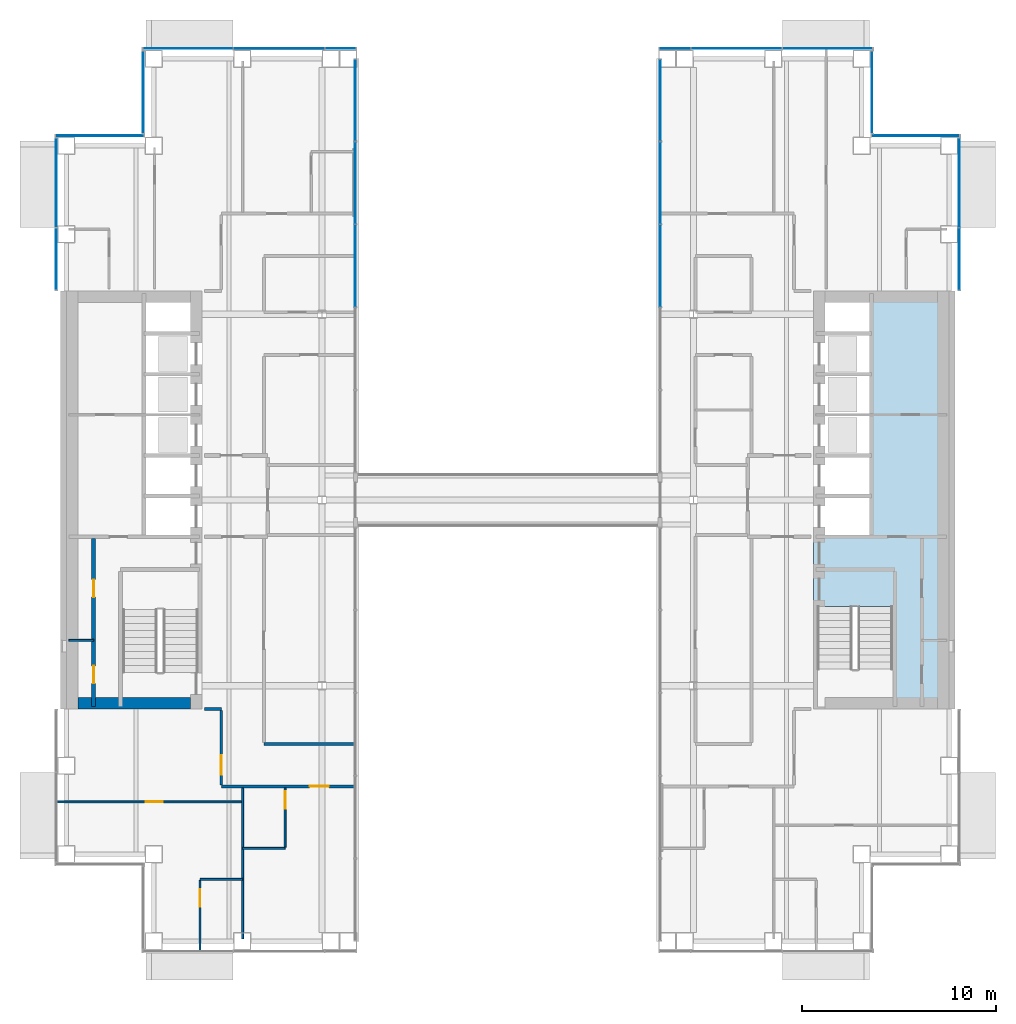
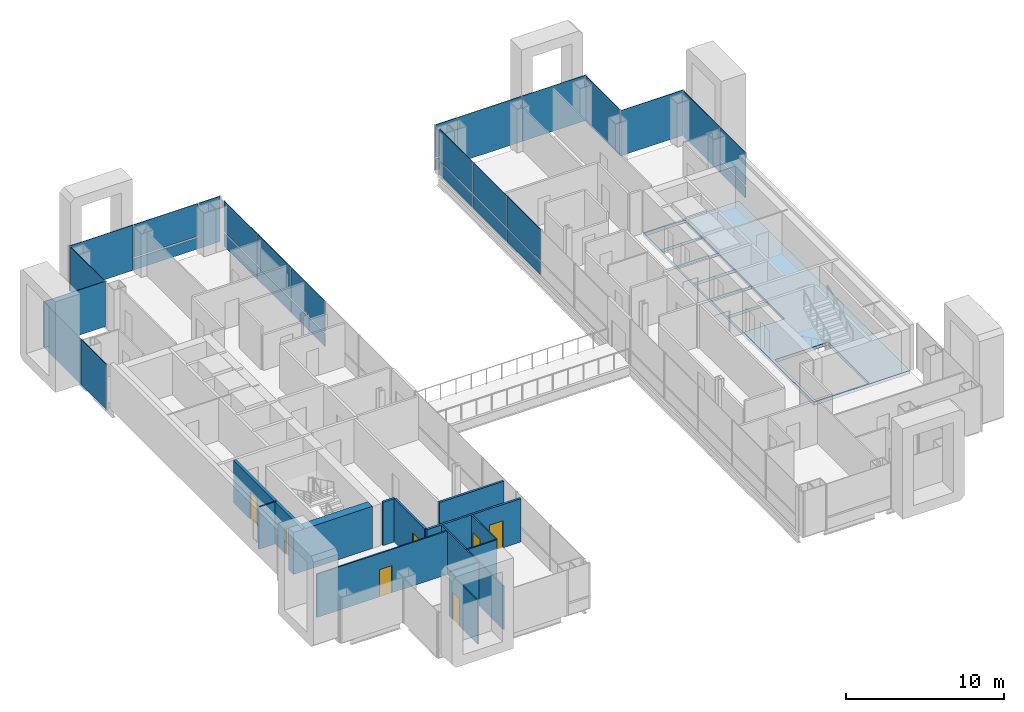
# One storey, part 9 of 17: 29 plates, 13 walls, 7 doors, 1 slab, 7 openings, 10 elements without a shape of their own.
"""IFC4 building model written with IfcOpenShell, lengths in metres."""

from ifc_helpers import new_model, si_unit, direction, frame, frame_2d, origin, origin_2d, place, context, subcontext, project, spatial, polyline, rectangle, outline, extrude, material, layer, layer_set, type_object, element, fill, aggregate, save


model = new_model("IFC4")

# Units and contexts
model_context = context("Model", 3, precision=1e-05, world=origin(), true_north=direction((0.0, 1.0)))
body_context = subcontext(model_context, "Body", "Model", "MODEL_VIEW")
ifc_project = project(units=[si_unit("LENGTHUNIT", "METRE"), si_unit("AREAUNIT", "SQUARE_METRE"), si_unit("VOLUMEUNIT", "CUBIC_METRE"), si_unit("PLANEANGLEUNIT", "RADIAN"), si_unit("MASSUNIT", "GRAM", prefix="KILO")], contexts=[model_context])

# Site, building, storey
site_placement = place(None, origin())
site = spatial("IfcSite", under=ifc_project, at=site_placement, CompositionType="ELEMENT")
building_placement = place(site_placement, origin())
building = spatial("IfcBuilding", under=site, at=building_placement, Name="Cobrizo Arcos Hotel Tower", CompositionType="ELEMENT")
storey_placement = place(building_placement, frame((0.0, 0.0, 131.0)))
storey = spatial("IfcBuildingStorey", under=building, at=storey_placement, Name="L33", CompositionType="ELEMENT", Elevation=131.0)

# Curtain wall, plate
ifc_material_1 = material(Name="Aluminium 6063-T6 anodised bronze", Category="aluminium")
curtain_wall_type_1 = type_object("IfcCurtainWallType", Name="CW-A guest facade", PredefinedType="NOTDEFINED", material=ifc_material_1)
curtain_wall_1_placement = place(storey_placement, origin())
curtain_wall_1 = element("IfcCurtainWall", 1, at=curtain_wall_1_placement, inside=storey, type_object=curtain_wall_type_1, Name="CW-A L33 E face", PredefinedType="NOTDEFINED")
ifc_material_2 = material(Name="Glass clear laminated low-e", Category="glass")
ifc_layer_1 = layer(ifc_material_2, 0.0400390625)
ifc_layer_set_1 = layer_set([ifc_layer_1], Name="CW-A glass panel")
plate_type_1 = type_object("IfcPlateType", Name="CW-A glass panel", PredefinedType="CURTAIN_PANEL", material=ifc_layer_set_1)
plate_1_placement = place(storey_placement, frame((23.324951171875, 12.4462890625, 0.990234375), z_axis=(0.0, 0.0, 1.0), x_axis=(0.0, 1.0, 0.0)))
plate_1 = element("IfcPlate", 2, at=plate_1_placement, type_object=plate_type_1, Name="CW-A glass panel 1229", PredefinedType="CURTAIN_PANEL", context=body_context, shape_type="SweptSolid", body=[
    extrude(rectangle(XDim=3.172607421875, YDim=0.0400390625, at=origin_2d()), origin(), (0.0, 0.0, 1.0), 2.510009765625),
])

curtain_wall_2_placement = place(storey_placement, origin())
curtain_wall_2 = element("IfcCurtainWall", 3, at=curtain_wall_2_placement, inside=storey, type_object=curtain_wall_type_1, Name="CW-A L33 N face", PredefinedType="NOTDEFINED")
plate_2_placement = place(storey_placement, frame((8.639892578125, 23.324951171875, 0.990234375), z_axis=(0.0, 0.0, 1.0), x_axis=(-1.0, 0.0, 0.0)))
plate_2 = element("IfcPlate", 4, at=plate_2_placement, type_object=plate_type_1, Name="CW-A glass panel 1235", PredefinedType="CURTAIN_PANEL", context=body_context, shape_type="SweptSolid", body=[
    extrude(rectangle(XDim=1.56005859375, YDim=0.0400390625, at=origin_2d()), origin(), (0.0, 0.0, 1.0), 2.510009765625),
])

curtain_wall_3_placement = place(storey_placement, origin())
curtain_wall_3 = element("IfcCurtainWall", 5, at=curtain_wall_3_placement, inside=storey, type_object=curtain_wall_type_1, Name="CW-A L33 N face", PredefinedType="NOTDEFINED")
plate_3_placement = place(storey_placement, frame((-11.8125, 23.324951171875, 0.990234375), z_axis=(0.0, 0.0, 1.0), x_axis=(-1.0, 0.0, 0.0)))
plate_3 = element("IfcPlate", 6, at=plate_3_placement, type_object=plate_type_1, Name="CW-A glass panel 1237", PredefinedType="CURTAIN_PANEL", context=body_context, shape_type="SweptSolid", body=[
    extrude(rectangle(XDim=4.6650390625, YDim=0.0400390625, at=origin_2d()), origin(), (0.0, 0.0, 1.0), 2.510009765625),
])

# Plate
ifc_material_3 = material(Name="Aluminium composite panel pale metal", Category="aluminium")
ifc_layer_2 = layer(ifc_material_3, 0.0400390625)
ifc_layer_set_2 = layer_set([ifc_layer_2], Name="CW-A spandrel panel")
plate_type_2 = type_object("IfcPlateType", Name="CW-A spandrel panel", PredefinedType="CURTAIN_PANEL", material=ifc_layer_set_2)
plate_4_placement = place(storey_placement, frame((23.324951171875, 12.4462890625, 0.0), z_axis=(0.0, 0.0, 1.0), x_axis=(0.0, 1.0, 0.0)))
plate_4 = element("IfcPlate", 7, at=plate_4_placement, type_object=plate_type_2, Name="CW-A spandrel panel 1229", PredefinedType="CURTAIN_PANEL", context=body_context, shape_type="SweptSolid", body=[
    extrude(rectangle(XDim=3.172607421875, YDim=0.0400390625, at=origin_2d()), origin(), (0.0, 0.0, 1.0), 0.8701171875),
])

plate_5_placement = place(storey_placement, frame((23.324951171875, 16.391357421875, 0.0), z_axis=(0.0, 0.0, 1.0), x_axis=(0.0, 1.0, 0.0)))
plate_5 = element("IfcPlate", 8, at=plate_5_placement, type_object=plate_type_2, Name="CW-A spandrel panel 1230", PredefinedType="CURTAIN_PANEL", context=body_context, shape_type="SweptSolid", body=[
    extrude(rectangle(XDim=4.597412109375, YDim=0.0400390625, at=origin_2d()), origin(), (0.0, 0.0, 1.0), 3.5),
])

aggregate(curtain_wall_1, [plate_4, plate_1, plate_5])

# Curtain wall, plate
curtain_wall_4_placement = place(storey_placement, origin())
curtain_wall_4 = element("IfcCurtainWall", 9, at=curtain_wall_4_placement, inside=storey, type_object=curtain_wall_type_1, Name="CW-A L33 N face", PredefinedType="NOTDEFINED")
plate_6_placement = place(storey_placement, frame((21.074951171875, 18.824951171875, 0.0), z_axis=(0.0, 0.0, 1.0), x_axis=(-1.0, 0.0, 0.0)))
plate_6 = element("IfcPlate", 10, at=plate_6_placement, type_object=plate_type_2, Name="CW-A spandrel panel 1231", PredefinedType="CURTAIN_PANEL", context=body_context, shape_type="SweptSolid", body=[
    extrude(rectangle(XDim=4.530029296875, YDim=0.0400390625, at=origin_2d()), origin(), (0.0, 0.0, 1.0), 3.5),
])
aggregate(curtain_wall_4, [plate_6])

curtain_wall_5_placement = place(storey_placement, origin())
curtain_wall_5 = element("IfcCurtainWall", 11, at=curtain_wall_5_placement, inside=storey, type_object=curtain_wall_type_1, Name="CW-A L33 E face", PredefinedType="NOTDEFINED")
plate_7_placement = place(storey_placement, frame((18.824951171875, 21.074951171875, 0.0), z_axis=(0.0, 0.0, 1.0), x_axis=(0.0, 1.0, 0.0)))
plate_7 = element("IfcPlate", 12, at=plate_7_placement, type_object=plate_type_2, Name="CW-A spandrel panel 1232", PredefinedType="CURTAIN_PANEL", context=body_context, shape_type="SweptSolid", body=[
    extrude(rectangle(XDim=4.22998046875, YDim=0.0400390625, at=origin_2d()), origin(), (0.0, 0.0, 1.0), 3.5),
])
aggregate(curtain_wall_5, [plate_7])

# Plate
plate_8_placement = place(storey_placement, frame((16.5224609375, 23.324951171875, 0.0), z_axis=(0.0, 0.0, 1.0), x_axis=(-1.0, 0.0, 0.0)))
plate_8 = element("IfcPlate", 13, at=plate_8_placement, type_object=plate_type_2, Name="CW-A spandrel panel 1233", PredefinedType="CURTAIN_PANEL", context=body_context, shape_type="SweptSolid", body=[
    extrude(rectangle(XDim=4.635009765625, YDim=0.0400390625, at=origin_2d()), origin(), (0.0, 0.0, 1.0), 3.5),
])

plate_9_placement = place(storey_placement, frame((11.8125, 23.324951171875, 0.0), z_axis=(0.0, 0.0, 1.0), x_axis=(-1.0, 0.0, 0.0)))
plate_9 = element("IfcPlate", 14, at=plate_9_placement, type_object=plate_type_2, Name="CW-A spandrel panel 1234", PredefinedType="CURTAIN_PANEL", context=body_context, shape_type="SweptSolid", body=[
    extrude(rectangle(XDim=4.6650390625, YDim=0.0400390625, at=origin_2d()), origin(), (0.0, 0.0, 1.0), 3.5),
])

plate_10_placement = place(storey_placement, frame((8.639892578125, 23.324951171875, 0.0), z_axis=(0.0, 0.0, 1.0), x_axis=(-1.0, 0.0, 0.0)))
plate_10 = element("IfcPlate", 15, at=plate_10_placement, type_object=plate_type_2, Name="CW-A spandrel panel 1235", PredefinedType="CURTAIN_PANEL", context=body_context, shape_type="SweptSolid", body=[
    extrude(rectangle(XDim=1.56005859375, YDim=0.0400390625, at=origin_2d()), origin(), (0.0, 0.0, 1.0), 0.8701171875),
])

aggregate(curtain_wall_2, [plate_8, plate_9, plate_10, plate_2])

plate_11_placement = place(storey_placement, frame((-8.639892578125, 23.324951171875, 0.0), z_axis=(0.0, 0.0, 1.0), x_axis=(-1.0, 0.0, 0.0)))
plate_11 = element("IfcPlate", 16, at=plate_11_placement, type_object=plate_type_2, Name="CW-A spandrel panel 1236", PredefinedType="CURTAIN_PANEL", context=body_context, shape_type="SweptSolid", body=[
    extrude(rectangle(XDim=1.56005859375, YDim=0.0400390625, at=origin_2d()), origin(), (0.0, 0.0, 1.0), 3.5),
])

plate_12_placement = place(storey_placement, frame((-11.8125, 23.324951171875, 0.0), z_axis=(0.0, 0.0, 1.0), x_axis=(-1.0, 0.0, 0.0)))
plate_12 = element("IfcPlate", 17, at=plate_12_placement, type_object=plate_type_2, Name="CW-A spandrel panel 1237", PredefinedType="CURTAIN_PANEL", context=body_context, shape_type="SweptSolid", body=[
    extrude(rectangle(XDim=4.6650390625, YDim=0.0400390625, at=origin_2d()), origin(), (0.0, 0.0, 1.0), 0.8701171875),
])

plate_13_placement = place(storey_placement, frame((-16.5224609375, 23.324951171875, 0.0), z_axis=(0.0, 0.0, 1.0), x_axis=(-1.0, 0.0, 0.0)))
plate_13 = element("IfcPlate", 18, at=plate_13_placement, type_object=plate_type_2, Name="CW-A spandrel panel 1238", PredefinedType="CURTAIN_PANEL", context=body_context, shape_type="SweptSolid", body=[
    extrude(rectangle(XDim=4.635009765625, YDim=0.0400390625, at=origin_2d()), origin(), (0.0, 0.0, 1.0), 3.5),
])

aggregate(curtain_wall_3, [plate_11, plate_12, plate_3, plate_13])

# Curtain wall, plate
curtain_wall_6_placement = place(storey_placement, origin())
curtain_wall_6 = element("IfcCurtainWall", 19, at=curtain_wall_6_placement, inside=storey, type_object=curtain_wall_type_1, Name="CW-A L33 W face", PredefinedType="NOTDEFINED")
plate_14_placement = place(storey_placement, frame((-18.824951171875, 21.074951171875, 0.0), z_axis=(0.0, 0.0, 1.0), x_axis=(0.0, -1.0, 0.0)))
plate_14 = element("IfcPlate", 20, at=plate_14_placement, type_object=plate_type_2, Name="CW-A spandrel panel 1239", PredefinedType="CURTAIN_PANEL", context=body_context, shape_type="SweptSolid", body=[
    extrude(rectangle(XDim=4.22998046875, YDim=0.0400390625, at=origin_2d()), origin(), (0.0, 0.0, 1.0), 3.5),
])
aggregate(curtain_wall_6, [plate_14])

curtain_wall_7_placement = place(storey_placement, origin())
curtain_wall_7 = element("IfcCurtainWall", 21, at=curtain_wall_7_placement, inside=storey, type_object=curtain_wall_type_1, Name="CW-A L33 N face", PredefinedType="NOTDEFINED")
plate_15_placement = place(storey_placement, frame((-21.074951171875, 18.824951171875, 0.0), z_axis=(0.0, 0.0, 1.0), x_axis=(-1.0, 0.0, 0.0)))
plate_15 = element("IfcPlate", 22, at=plate_15_placement, type_object=plate_type_2, Name="CW-A spandrel panel 1240", PredefinedType="CURTAIN_PANEL", context=body_context, shape_type="SweptSolid", body=[
    extrude(rectangle(XDim=4.530029296875, YDim=0.0400390625, at=origin_2d()), origin(), (0.0, 0.0, 1.0), 3.5),
])
aggregate(curtain_wall_7, [plate_15])

# Curtain wall, plates
curtain_wall_8_placement = place(storey_placement, origin())
curtain_wall_8 = element("IfcCurtainWall", 23, at=curtain_wall_8_placement, inside=storey, type_object=curtain_wall_type_1, Name="CW-A L33 W face", PredefinedType="NOTDEFINED")
plate_16_placement = place(storey_placement, frame((-23.324951171875, 16.391357421875, 0.0), z_axis=(0.0, 0.0, 1.0), x_axis=(0.0, -1.0, 0.0)))
plate_16 = element("IfcPlate", 24, at=plate_16_placement, type_object=plate_type_2, Name="CW-A spandrel panel 1241", PredefinedType="CURTAIN_PANEL", context=body_context, shape_type="SweptSolid", body=[
    extrude(rectangle(XDim=4.597412109375, YDim=0.0400390625, at=origin_2d()), origin(), (0.0, 0.0, 1.0), 3.5),
])
plate_17_placement = place(storey_placement, frame((-23.324951171875, 12.4462890625, 0.0), z_axis=(0.0, 0.0, 1.0), x_axis=(0.0, -1.0, 0.0)))
plate_17 = element("IfcPlate", 25, at=plate_17_placement, type_object=plate_type_2, Name="CW-A spandrel panel 1242", PredefinedType="CURTAIN_PANEL", context=body_context, shape_type="SweptSolid", body=[
    extrude(rectangle(XDim=3.172607421875, YDim=0.0400390625, at=origin_2d()), origin(), (0.0, 0.0, 1.0), 3.5),
])
aggregate(curtain_wall_8, [plate_16, plate_17])

curtain_wall_type_2 = type_object("IfcCurtainWallType", Name="CW-F void screen", PredefinedType="NOTDEFINED", material=ifc_material_1)
curtain_wall_9_placement = place(storey_placement, origin())
curtain_wall_9 = element("IfcCurtainWall", 26, at=curtain_wall_9_placement, inside=storey, type_object=curtain_wall_type_2, Name="CW-F L33 void screen B", PredefinedType="NOTDEFINED")
ifc_layer_3 = layer(ifc_material_2, 0.0400390625)
ifc_layer_set_3 = layer_set([ifc_layer_3], Name="CW-F glass panel")
plate_type_3 = type_object("IfcPlateType", Name="CW-F glass panel", PredefinedType="CURTAIN_PANEL", material=ifc_layer_set_3)
plate_18_placement = place(storey_placement, frame((7.875, 12.10009765625, 0.0), z_axis=(0.0, 0.0, 1.0), x_axis=(0.0, 1.0, 0.0)))
plate_18 = element("IfcPlate", 27, at=plate_18_placement, type_object=plate_type_3, Name="CW-F glass panel 2653", PredefinedType="CURTAIN_PANEL", context=body_context, shape_type="SweptSolid", body=[
    extrude(rectangle(XDim=4.219970703125, YDim=0.0400390625, at=origin_2d()), origin(), (0.0, 0.0, 1.0), 0.989990234375),
])
plate_19_placement = place(storey_placement, frame((7.875, 12.10009765625, 1.10986328125), z_axis=(0.0, 0.0, 1.0), x_axis=(0.0, 1.0, 0.0)))
plate_19 = element("IfcPlate", 28, at=plate_19_placement, type_object=plate_type_3, Name="CW-F glass panel 2653", PredefinedType="CURTAIN_PANEL", context=body_context, shape_type="SweptSolid", body=[
    extrude(rectangle(XDim=4.219970703125, YDim=0.0400390625, at=origin_2d()), origin(), (0.0, 0.0, 1.0), 2.389892578125),
])
plate_20_placement = place(storey_placement, frame((7.875, 16.3798828125, 0.0), z_axis=(0.0, 0.0, 1.0), x_axis=(0.0, 1.0, 0.0)))
plate_20 = element("IfcPlate", 29, at=plate_20_placement, type_object=plate_type_3, Name="CW-F glass panel 2654", PredefinedType="CURTAIN_PANEL", context=body_context, shape_type="SweptSolid", body=[
    extrude(rectangle(XDim=4.219970703125, YDim=0.0400390625, at=origin_2d()), origin(), (0.0, 0.0, 1.0), 0.989990234375),
])
plate_21_placement = place(storey_placement, frame((7.875, 16.3798828125, 1.10986328125), z_axis=(0.0, 0.0, 1.0), x_axis=(0.0, 1.0, 0.0)))
plate_21 = element("IfcPlate", 30, at=plate_21_placement, type_object=plate_type_3, Name="CW-F glass panel 2654", PredefinedType="CURTAIN_PANEL", context=body_context, shape_type="SweptSolid", body=[
    extrude(rectangle(XDim=4.219970703125, YDim=0.0400390625, at=origin_2d()), origin(), (0.0, 0.0, 1.0), 2.389892578125),
])
plate_22_placement = place(storey_placement, frame((7.875, 20.64501953125, 0.0), z_axis=(0.0, 0.0, 1.0), x_axis=(0.0, 1.0, 0.0)))
plate_22 = element("IfcPlate", 31, at=plate_22_placement, type_object=plate_type_3, Name="CW-F glass panel 2655", PredefinedType="CURTAIN_PANEL", context=body_context, shape_type="SweptSolid", body=[
    extrude(rectangle(XDim=4.18994140625, YDim=0.0400390625, at=origin_2d()), origin(), (0.0, 0.0, 1.0), 0.989990234375),
])
plate_23_placement = place(storey_placement, frame((7.875, 20.64501953125, 1.10986328125), z_axis=(0.0, 0.0, 1.0), x_axis=(0.0, 1.0, 0.0)))
plate_23 = element("IfcPlate", 32, at=plate_23_placement, type_object=plate_type_3, Name="CW-F glass panel 2655", PredefinedType="CURTAIN_PANEL", context=body_context, shape_type="SweptSolid", body=[
    extrude(rectangle(XDim=4.18994140625, YDim=0.0400390625, at=origin_2d()), origin(), (0.0, 0.0, 1.0), 2.389892578125),
])
aggregate(curtain_wall_9, [plate_18, plate_19, plate_20, plate_21, plate_22, plate_23])

curtain_wall_10_placement = place(storey_placement, origin())
curtain_wall_10 = element("IfcCurtainWall", 33, at=curtain_wall_10_placement, inside=storey, type_object=curtain_wall_type_2, Name="CW-F L33 void screen B", PredefinedType="NOTDEFINED")
plate_24_placement = place(storey_placement, frame((-7.875, 20.64501953125, 0.0), z_axis=(0.0, 0.0, 1.0), x_axis=(0.0, -1.0, 0.0)))
plate_24 = element("IfcPlate", 34, at=plate_24_placement, type_object=plate_type_3, Name="CW-F glass panel 2656", PredefinedType="CURTAIN_PANEL", context=body_context, shape_type="SweptSolid", body=[
    extrude(rectangle(XDim=4.18994140625, YDim=0.0400390625, at=origin_2d()), origin(), (0.0, 0.0, 1.0), 0.989990234375),
])
plate_25_placement = place(storey_placement, frame((-7.875, 20.64501953125, 1.10986328125), z_axis=(0.0, 0.0, 1.0), x_axis=(0.0, -1.0, 0.0)))
plate_25 = element("IfcPlate", 35, at=plate_25_placement, type_object=plate_type_3, Name="CW-F glass panel 2656", PredefinedType="CURTAIN_PANEL", context=body_context, shape_type="SweptSolid", body=[
    extrude(rectangle(XDim=4.18994140625, YDim=0.0400390625, at=origin_2d()), origin(), (0.0, 0.0, 1.0), 2.389892578125),
])
plate_26_placement = place(storey_placement, frame((-7.875, 16.3798828125, 0.0), z_axis=(0.0, 0.0, 1.0), x_axis=(0.0, -1.0, 0.0)))
plate_26 = element("IfcPlate", 36, at=plate_26_placement, type_object=plate_type_3, Name="CW-F glass panel 2657", PredefinedType="CURTAIN_PANEL", context=body_context, shape_type="SweptSolid", body=[
    extrude(rectangle(XDim=4.219970703125, YDim=0.0400390625, at=origin_2d()), origin(), (0.0, 0.0, 1.0), 0.989990234375),
])
plate_27_placement = place(storey_placement, frame((-7.875, 16.3798828125, 1.10986328125), z_axis=(0.0, 0.0, 1.0), x_axis=(0.0, -1.0, 0.0)))
plate_27 = element("IfcPlate", 37, at=plate_27_placement, type_object=plate_type_3, Name="CW-F glass panel 2657", PredefinedType="CURTAIN_PANEL", context=body_context, shape_type="SweptSolid", body=[
    extrude(rectangle(XDim=4.219970703125, YDim=0.0400390625, at=origin_2d()), origin(), (0.0, 0.0, 1.0), 2.389892578125),
])
plate_28_placement = place(storey_placement, frame((-7.875, 12.10009765625, 0.0), z_axis=(0.0, 0.0, 1.0), x_axis=(0.0, -1.0, 0.0)))
plate_28 = element("IfcPlate", 38, at=plate_28_placement, type_object=plate_type_3, Name="CW-F glass panel 2658", PredefinedType="CURTAIN_PANEL", context=body_context, shape_type="SweptSolid", body=[
    extrude(rectangle(XDim=4.219970703125, YDim=0.0400390625, at=origin_2d()), origin(), (0.0, 0.0, 1.0), 0.989990234375),
])
plate_29_placement = place(storey_placement, frame((-7.875, 12.10009765625, 1.10986328125), z_axis=(0.0, 0.0, 1.0), x_axis=(0.0, -1.0, 0.0)))
plate_29 = element("IfcPlate", 39, at=plate_29_placement, type_object=plate_type_3, Name="CW-F glass panel 2658", PredefinedType="CURTAIN_PANEL", context=body_context, shape_type="SweptSolid", body=[
    extrude(rectangle(XDim=4.219970703125, YDim=0.0400390625, at=origin_2d()), origin(), (0.0, 0.0, 1.0), 2.389892578125),
])
aggregate(curtain_wall_10, [plate_24, plate_25, plate_26, plate_27, plate_28, plate_29])

# Slab
ifc_material_4 = material(Name="Concrete f'c 50 MPa", Category="concrete")
ifc_layer_4 = layer(ifc_material_4, 0.25)
ifc_layer_set_4 = layer_set([ifc_layer_4], Name="RC core floor slab 250 f'c 50")
slab_type = type_object("IfcSlabType", Name="RC core floor slab 250 f'c 50", PredefinedType="FLOOR", material=ifc_layer_set_4)
slab_placement = place(storey_placement, frame((0.0, 0.0, -0.25)))
element("IfcSlab", 40, at=slab_placement, inside=storey, type_object=slab_type, Name="Core floor slab CS5, east core, L33", PredefinedType="FLOOR", context=body_context, shape_type="SweptSolid", body=[
    extrude(outline(polyline([(15.800048828125, 10.800048828125), (22.800048828125, 10.800048828125), (22.800048828125, -10.800048828125), (15.800048828125, -10.800048828125), (15.800048828125, 10.800048828125)]), holes=[polyline([(19.89794921875, -10.697998046875), (19.89794921875, -5.501953125), (16.001953125, -5.501953125), (16.001953125, -10.697998046875), (19.89794921875, -10.697998046875)]), polyline([(15.802001953125, 0.197998046875), (15.802001953125, -1.89794921875), (18.798095703125, -1.89794921875), (18.798095703125, 0.197998046875), (15.802001953125, 0.197998046875)]), polyline([(18.798095703125, 2.298095703125), (15.802001953125, 2.298095703125), (15.802001953125, 0.201904296875), (18.798095703125, 0.201904296875), (18.798095703125, 2.298095703125)]), polyline([(18.798095703125, 4.39794921875), (15.802001953125, 4.39794921875), (15.802001953125, 2.302001953125), (18.798095703125, 2.302001953125), (18.798095703125, 4.39794921875)]), polyline([(15.802001953125, 6.498046875), (15.802001953125, 4.402099609375), (18.798095703125, 4.402099609375), (18.798095703125, 6.498046875), (15.802001953125, 6.498046875)]), polyline([(18.798095703125, 8.597900390625), (15.802001953125, 8.597900390625), (15.802001953125, 6.501953125), (18.798095703125, 6.501953125), (18.798095703125, 8.597900390625)]), polyline([(18.798095703125, 10.697998046875), (15.802001953125, 10.697998046875), (15.802001953125, 8.60205078125), (18.798095703125, 8.60205078125), (18.798095703125, 10.697998046875)])]), origin(), (0.0, 0.0, 1.0), 0.25),
])

# Wall, opening, door
ifc_material_5 = material(Name="Gypsum board partition")
ifc_layer_5 = layer(ifc_material_5, 0.14990234375)
ifc_layer_set_5 = layer_set([ifc_layer_5], Name="Corridor wall EI 60 150")
wall_type_1 = type_object("IfcWallType", Name="Corridor wall EI 60 150", PredefinedType="PARTITIONING", material=ifc_layer_set_5)
wall_1_placement = place(storey_placement, frame((-14.800048828125, -14.800048828125, 0.0), z_axis=(0.0, 0.0, 1.0), x_axis=(1.0, 0.0, 0.0)))
wall_1 = element("IfcWall", 41, at=wall_1_placement, inside=storey, type_object=wall_type_1, Name="Partition 007", PredefinedType="PARTITIONING", context=body_context, shape_type="SweptSolid", body=[
    extrude(rectangle(XDim=6.880126953125, YDim=0.14990234375, at=frame_2d((3.43994140625, 0.0))), origin(), (0.0, 0.0, 1.0), 3.35009765625),
])
opening_1_placement = place(wall_1_placement, frame((4.56201171875, 0.0, 0.0)))
opening_1 = element("IfcOpeningElement", 42, at=opening_1_placement, cuts=wall_1, Name="Opening GD-03", PredefinedType="OPENING", context=body_context, shape_type="SweptSolid", body=[
    extrude(rectangle(XDim=1.0, YDim=2.10009765625, at=frame_2d((0.5, 1.050048828125))), frame((0.0, 0.0869140625, 0.0), z_axis=(0.0, -1.0, 0.0), x_axis=(1.0, 0.0, 0.0)), (0.0, 0.0, 1.0), 0.173828125),
])
ifc_material_6 = material(Name="Timber door leaf", Category="wood")
door_type_1 = type_object("IfcDoorType", Name="Guest room door FD30S 1000x2100", OperationType="SINGLE_SWING_LEFT", PredefinedType="DOOR", material=ifc_material_6)
door_1_placement = place(opening_1_placement, origin())
door_1 = element("IfcDoor", 43, at=door_1_placement, inside=storey, type_object=door_type_1, Name="Door GD-03", OperationType="SINGLE_SWING_RIGHT", OverallHeight=2.10009765625, OverallWidth=1.0, PredefinedType="DOOR", context=body_context, shape_type="SweptSolid", body=[
    extrude(rectangle(XDim=1.0, YDim=2.10009765625, at=frame_2d((0.5, 1.050048828125))), frame((0.0, 0.02490234375, 0.0), z_axis=(0.0, -1.0, 0.0), x_axis=(1.0, 0.0, 0.0)), (0.0, 0.0, 1.0), 0.050048828125),
])
fill(opening_1, door_1)

# Walls
wall_2_placement = place(storey_placement, frame((-12.60009765625, -12.60009765625, 0.0), z_axis=(0.0, 0.0, 1.0), x_axis=(1.0, 0.0, 0.0)))
element("IfcWall", 44, at=wall_2_placement, inside=storey, type_object=wall_type_1, Name="Partition 009", PredefinedType="PARTITIONING", context=body_context, shape_type="SweptSolid", body=[
    extrude(rectangle(XDim=4.68017578125, YDim=0.14990234375, at=frame_2d((2.340087890625, 0.0))), origin(), (0.0, 0.0, 1.0), 3.35009765625),
])
wall_3_placement = place(storey_placement, frame((-15.679931640625, -10.800048828125, 0.0), z_axis=(0.0, 0.0, 1.0), x_axis=(1.0, 0.0, 0.0)))
element("IfcWall", 45, at=wall_3_placement, inside=storey, type_object=wall_type_1, Name="Partition 011", PredefinedType="PARTITIONING", context=body_context, shape_type="SweptSolid", body=[
    extrude(rectangle(XDim=0.8798828125, YDim=0.14990234375, at=frame_2d((0.43994140625, 0.0))), origin(), (0.0, 0.0, 1.0), 3.35009765625),
])

# Wall, opening, door
wall_4_placement = place(storey_placement, frame((-14.800048828125, -14.72509765625, 0.0), z_axis=(0.0, 0.0, 1.0), x_axis=(0.0, 1.0, 0.0)))
wall_4 = element("IfcWall", 46, at=wall_4_placement, inside=storey, type_object=wall_type_1, Name="Partition 060", PredefinedType="PARTITIONING", context=body_context, shape_type="SweptSolid", body=[
    extrude(rectangle(XDim=3.85009765625, YDim=0.14990234375, at=frame_2d((1.925048828125, 0.0))), origin(), (0.0, 0.0, 1.0), 3.35009765625),
])
opening_2_placement = place(wall_4_placement, frame((0.52490234375, 0.0, 0.0)))
opening_2 = element("IfcOpeningElement", 47, at=opening_2_placement, cuts=wall_4, Name="Opening GD-04", PredefinedType="OPENING", context=body_context, shape_type="SweptSolid", body=[
    extrude(rectangle(XDim=1.0, YDim=2.10009765625, at=frame_2d((0.5, 1.050048828125))), frame((0.0, 0.0869140625, 0.0), z_axis=(0.0, -1.0, 0.0), x_axis=(1.0, 0.0, 0.0)), (0.0, 0.0, 1.0), 0.173828125),
])
door_2_placement = place(opening_2_placement, origin())
door_2 = element("IfcDoor", 48, at=door_2_placement, inside=storey, type_object=door_type_1, Name="Door GD-04", OperationType="SINGLE_SWING_LEFT", OverallHeight=2.10009765625, OverallWidth=1.0, PredefinedType="DOOR", context=body_context, shape_type="SweptSolid", body=[
    extrude(rectangle(XDim=1.0, YDim=2.10009765625, at=frame_2d((0.5, 1.050048828125))), frame((0.0, 0.02490234375, 0.0), z_axis=(0.0, -1.0, 0.0), x_axis=(1.0, 0.0, 0.0)), (0.0, 0.0, 1.0), 0.050048828125),
])
fill(opening_2, door_2)

# Walls
ifc_layer_6 = layer(ifc_material_5, 0.10009765625)
ifc_layer_set_6 = layer_set([ifc_layer_6], Name="Partition EI 30 100")
wall_type_2 = type_object("IfcWallType", Name="Partition EI 30 100", PredefinedType="PARTITIONING", material=ifc_layer_set_6)
for number, where, z_axis, x_axis, name in (
    (49, (-15.89990234375, -19.60009765625, 0.0), (0.0, 0.0, 1.0), (1.0, 0.0, 0.0), "Partition 001"),
    (50, (-13.699951171875, -18.0, 0.0), (0.0, 0.0, 1.0), (1.0, 0.0, 0.0), "Partition 003"),
):
    element("IfcWall", number, at=place(storey_placement, frame(where, z_axis=z_axis, x_axis=x_axis)), inside=storey, type_object=wall_type_2, Name=name, PredefinedType="PARTITIONING", context=body_context, shape_type="SweptSolid", body=[
        extrude(rectangle(XDim=2.199951171875, YDim=0.10009765625, at=frame_2d((1.10009765625, 0.0))), origin(), (0.0, 0.0, 1.0), 3.35009765625),
    ])

# Wall, opening, door
wall_5_placement = place(storey_placement, frame((-23.280029296875, -15.60009765625, 0.0), z_axis=(0.0, 0.0, 1.0), x_axis=(1.0, 0.0, 0.0)))
wall_5 = element("IfcWall", 51, at=wall_5_placement, inside=storey, type_object=wall_type_2, Name="Partition 006", PredefinedType="PARTITIONING", context=body_context, shape_type="SweptSolid", body=[
    extrude(rectangle(XDim=9.580078125, YDim=0.10009765625, at=frame_2d((4.7900390625, 0.0))), origin(), (0.0, 0.0, 1.0), 3.35009765625),
])
opening_3_placement = place(wall_5_placement, frame((4.568115234375, 0.0, 0.0)))
opening_3 = element("IfcOpeningElement", 52, at=opening_3_placement, cuts=wall_5, Name="Opening RD-10", PredefinedType="OPENING", context=body_context, shape_type="SweptSolid", body=[
    extrude(rectangle(XDim=0.89990234375, YDim=2.10009765625, at=frame_2d((0.449951171875, 1.050048828125))), frame((0.0, 0.06201171875, 0.0), z_axis=(0.0, -1.0, 0.0), x_axis=(1.0, 0.0, 0.0)), (0.0, 0.0, 1.0), 0.1240234375),
])
door_type_2 = type_object("IfcDoorType", Name="Room door FD30 900x2100", OperationType="SINGLE_SWING_LEFT", PredefinedType="DOOR", material=ifc_material_6)
door_3_placement = place(opening_3_placement, origin())
door_3 = element("IfcDoor", 53, at=door_3_placement, inside=storey, type_object=door_type_2, Name="Door RD-10", OperationType="SINGLE_SWING_RIGHT", OverallHeight=2.10009765625, OverallWidth=0.89990234375, PredefinedType="DOOR", context=body_context, shape_type="SweptSolid", body=[
    extrude(rectangle(XDim=0.89990234375, YDim=2.10009765625, at=frame_2d((0.449951171875, 1.050048828125))), frame((0.0, 0.02490234375, 0.0), z_axis=(0.0, -1.0, 0.0), x_axis=(1.0, 0.0, 0.0)), (0.0, 0.0, 1.0), 0.050048828125),
])
fill(opening_3, door_3)

# Wall
wall_6_placement = place(storey_placement, frame((-22.679931640625, -7.25, 0.0), z_axis=(0.0, 0.0, 1.0), x_axis=(1.0, 0.0, 0.0)))
element("IfcWall", 54, at=wall_6_placement, inside=storey, type_object=wall_type_2, Name="Partition 013", PredefinedType="PARTITIONING", context=body_context, shape_type="SweptSolid", body=[
    extrude(rectangle(XDim=1.280029296875, YDim=0.10009765625, at=frame_2d((0.64013671875, 0.0))), origin(), (0.0, 0.0, 1.0), 3.25),
])

# Wall, opening, door
wall_7_placement = place(storey_placement, frame((-15.89990234375, -23.280029296875, 0.0), z_axis=(0.0, 0.0, 1.0), x_axis=(0.0, 1.0, 0.0)))
wall_7 = element("IfcWall", 55, at=wall_7_placement, inside=storey, type_object=wall_type_2, Name="Partition 059", PredefinedType="PARTITIONING", context=body_context, shape_type="SweptSolid", body=[
    extrude(rectangle(XDim=3.630126953125, YDim=0.10009765625, at=frame_2d((1.81494140625, 0.0))), origin(), (0.0, 0.0, 1.0), 3.35009765625),
])
opening_4_placement = place(wall_7_placement, frame((2.27001953125, 0.0, 0.0)))
opening_4 = element("IfcOpeningElement", 56, at=opening_4_placement, cuts=wall_7, Name="Opening ED-04", PredefinedType="OPENING", context=body_context, shape_type="SweptSolid", body=[
    extrude(rectangle(XDim=0.89990234375, YDim=2.10009765625, at=frame_2d((0.449951171875, 1.050048828125))), frame((0.0, 0.06201171875, 0.0), z_axis=(0.0, -1.0, 0.0), x_axis=(1.0, 0.0, 0.0)), (0.0, 0.0, 1.0), 0.1240234375),
])
door_type_3 = type_object("IfcDoorType", Name="En-suite door 900x2100", OperationType="SINGLE_SWING_LEFT", PredefinedType="DOOR", material=ifc_material_6)
door_4_placement = place(opening_4_placement, origin())
door_4 = element("IfcDoor", 57, at=door_4_placement, inside=storey, type_object=door_type_3, Name="Door ED-04", OperationType="SINGLE_SWING_RIGHT", OverallHeight=2.10009765625, OverallWidth=0.89990234375, PredefinedType="DOOR", context=body_context, shape_type="SweptSolid", body=[
    extrude(rectangle(XDim=0.89990234375, YDim=2.10009765625, at=frame_2d((0.449951171875, 1.050048828125))), frame((0.0, 0.02490234375, 0.0), z_axis=(0.0, -1.0, 0.0), x_axis=(1.0, 0.0, 0.0)), (0.0, 0.0, 1.0), 0.050048828125),
])
fill(opening_4, door_4)

# Wall
wall_8_placement = place(storey_placement, frame((-13.699951171875, -22.679931640625, 0.0), z_axis=(0.0, 0.0, 1.0), x_axis=(0.0, 1.0, 0.0)))
element("IfcWall", 58, at=wall_8_placement, inside=storey, type_object=wall_type_2, Name="Partition 062", PredefinedType="PARTITIONING", context=body_context, shape_type="SweptSolid", body=[
    extrude(rectangle(XDim=7.804931640625, YDim=0.10009765625, at=frame_2d((3.90234375, 0.0))), origin(), (0.0, 0.0, 1.0), 3.35009765625),
])

# Wall, opening, door
wall_9_placement = place(storey_placement, frame((-11.5, -17.949951171875, 0.0), z_axis=(0.0, 0.0, 1.0), x_axis=(0.0, 1.0, 0.0)))
wall_9 = element("IfcWall", 59, at=wall_9_placement, inside=storey, type_object=wall_type_2, Name="Partition 068", PredefinedType="PARTITIONING", context=body_context, shape_type="SweptSolid", body=[
    extrude(rectangle(XDim=3.074951171875, YDim=0.10009765625, at=frame_2d((1.53759765625, 0.0))), origin(), (0.0, 0.0, 1.0), 3.35009765625),
])
opening_5_placement = place(wall_9_placement, frame((1.99609375, 0.0, 0.0)))
opening_5 = element("IfcOpeningElement", 60, at=opening_5_placement, cuts=wall_9, Name="Opening ED-03", PredefinedType="OPENING", context=body_context, shape_type="SweptSolid", body=[
    extrude(rectangle(XDim=0.89990234375, YDim=2.10009765625, at=frame_2d((0.449951171875, 1.050048828125))), frame((0.0, 0.06201171875, 0.0), z_axis=(0.0, -1.0, 0.0), x_axis=(1.0, 0.0, 0.0)), (0.0, 0.0, 1.0), 0.1240234375),
])
door_5_placement = place(opening_5_placement, origin())
door_5 = element("IfcDoor", 61, at=door_5_placement, inside=storey, type_object=door_type_3, Name="Door ED-03", OperationType="SINGLE_SWING_LEFT", OverallHeight=2.10009765625, OverallWidth=0.89990234375, PredefinedType="DOOR", context=body_context, shape_type="SweptSolid", body=[
    extrude(rectangle(XDim=0.89990234375, YDim=2.10009765625, at=frame_2d((0.449951171875, 1.050048828125))), frame((0.0, 0.02490234375, 0.0), z_axis=(0.0, -1.0, 0.0), x_axis=(1.0, 0.0, 0.0)), (0.0, 0.0, 1.0), 0.050048828125),
])
fill(opening_5, door_5)

# Wall
ifc_layer_7 = layer(ifc_material_4, 0.60009765625)
ifc_layer_set_7 = layer_set([ifc_layer_7], Name="RC core wall 600 f'c 50")
wall_type_3 = type_object("IfcWallType", Name="RC core wall 600 f'c 50", PredefinedType="SHEAR", material=ifc_layer_set_7)
wall_10_placement = place(storey_placement, frame((-22.199951171875, -10.5, 0.0), z_axis=(0.0, 0.0, 1.0), x_axis=(1.0, 0.0, 0.0)))
element("IfcWall", 62, at=wall_10_placement, inside=storey, type_object=wall_type_3, Name="Core wall CW2, west core, south end, L33", PredefinedType="SHEAR", context=body_context, shape_type="SweptSolid", body=[
    extrude(rectangle(XDim=5.800048828125, YDim=0.60009765625, at=frame_2d((2.89990234375, 0.0))), origin(), (0.0, 0.0, 1.0), 3.25),
])

# Wall, openings, doors
ifc_layer_8 = layer(ifc_material_5, 0.199951171875)
ifc_layer_set_8 = layer_set([ifc_layer_8], Name="Shaft wall EI 120 200")
wall_type_4 = type_object("IfcWallType", Name="Shaft wall EI 120 200", PredefinedType="PARTITIONING", material=ifc_layer_set_8)
wall_11_placement = place(storey_placement, frame((-21.39990234375, -10.679931640625, 0.0), z_axis=(0.0, 0.0, 1.0), x_axis=(0.0, 1.0, 0.0)))
wall_11 = element("IfcWall", 63, at=wall_11_placement, inside=storey, type_object=wall_type_4, Name="Partition 053", PredefinedType="PARTITIONING", context=body_context, shape_type="SweptSolid", body=[
    extrude(rectangle(XDim=8.679931640625, YDim=0.199951171875, at=frame_2d((4.33984375, 0.0))), origin(), (0.0, 0.0, 1.0), 3.25),
])
opening_6_placement = place(wall_11_placement, frame((1.2099609375, 0.0, 0.0)))
opening_6 = element("IfcOpeningElement", 64, at=opening_6_placement, cuts=wall_11, Name="Opening RD-01", PredefinedType="OPENING", context=body_context, shape_type="SweptSolid", body=[
    extrude(rectangle(XDim=0.89990234375, YDim=2.10009765625, at=frame_2d((0.449951171875, 1.050048828125))), frame((0.0, 0.112060546875, 0.0), z_axis=(0.0, -1.0, 0.0), x_axis=(1.0, 0.0, 0.0)), (0.0, 0.0, 1.0), 0.223876953125),
])
opening_7_placement = place(wall_11_placement, frame((5.659912109375, 0.0, 0.0)))
opening_7 = element("IfcOpeningElement", 65, at=opening_7_placement, cuts=wall_11, Name="Opening RD-02", PredefinedType="OPENING", context=body_context, shape_type="SweptSolid", body=[
    extrude(rectangle(XDim=0.89990234375, YDim=2.10009765625, at=frame_2d((0.449951171875, 1.050048828125))), frame((0.0, 0.112060546875, 0.0), z_axis=(0.0, -1.0, 0.0), x_axis=(1.0, 0.0, 0.0)), (0.0, 0.0, 1.0), 0.223876953125),
])
door_6_placement = place(opening_6_placement, origin())
door_6 = element("IfcDoor", 66, at=door_6_placement, inside=storey, type_object=door_type_2, Name="Door RD-01", OperationType="SINGLE_SWING_LEFT", OverallHeight=2.10009765625, OverallWidth=0.89990234375, PredefinedType="DOOR", context=body_context, shape_type="SweptSolid", body=[
    extrude(rectangle(XDim=0.89990234375, YDim=2.10009765625, at=frame_2d((0.449951171875, 1.050048828125))), frame((0.0, 0.02490234375, 0.0), z_axis=(0.0, -1.0, 0.0), x_axis=(1.0, 0.0, 0.0)), (0.0, 0.0, 1.0), 0.050048828125),
])
fill(opening_6, door_6)
door_7_placement = place(opening_7_placement, origin())
door_7 = element("IfcDoor", 67, at=door_7_placement, inside=storey, type_object=door_type_2, Name="Door RD-02", OperationType="SINGLE_SWING_RIGHT", OverallHeight=2.10009765625, OverallWidth=0.89990234375, PredefinedType="DOOR", context=body_context, shape_type="SweptSolid", body=[
    extrude(rectangle(XDim=0.89990234375, YDim=2.10009765625, at=frame_2d((0.449951171875, 1.050048828125))), frame((0.0, 0.02490234375, 0.0), z_axis=(0.0, -1.0, 0.0), x_axis=(1.0, 0.0, 0.0)), (0.0, 0.0, 1.0), 0.050048828125),
])
fill(opening_7, door_7)

save(model, "model.ifc")
